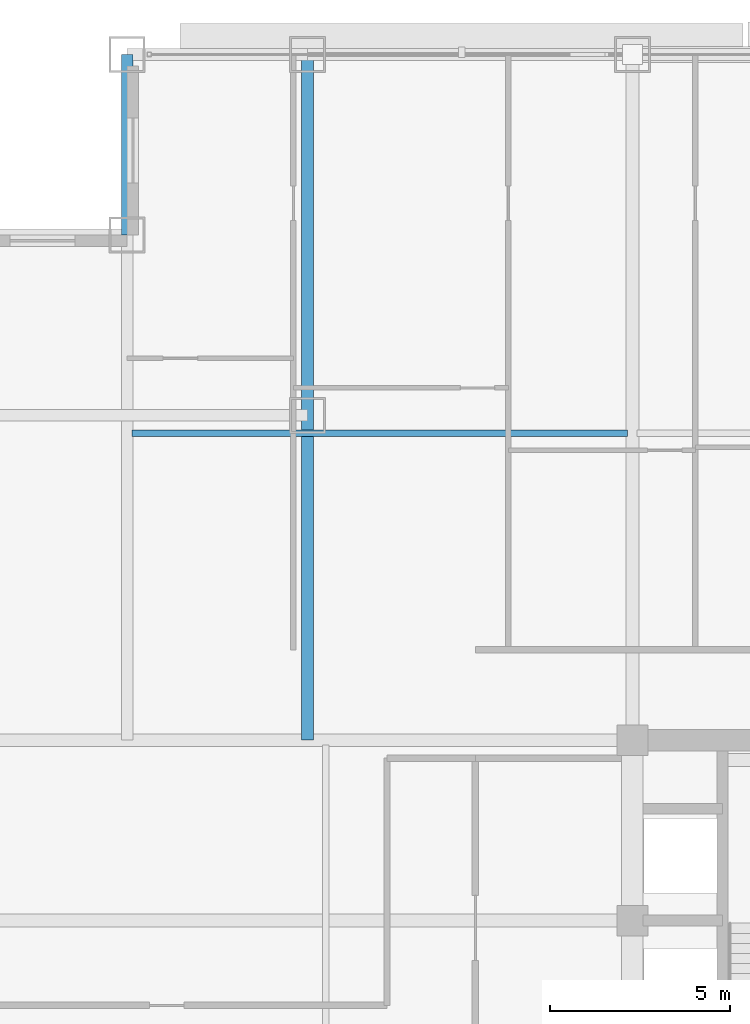
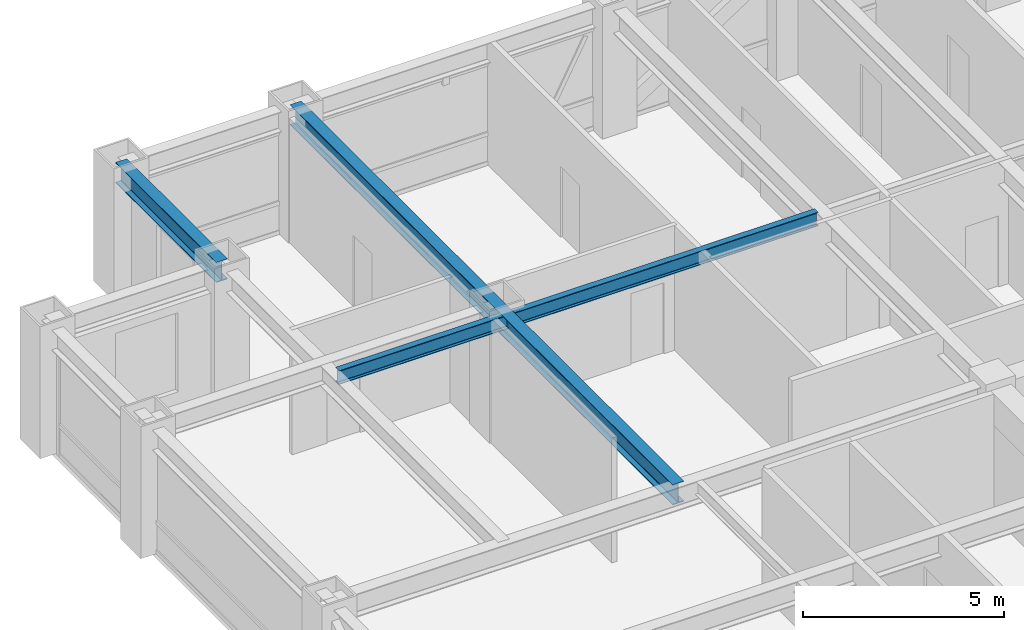
# One storey, part 13 of 29: 3 beams.
"""IFC4 building model written with IfcOpenShell, lengths in metres."""

from ifc_helpers import new_model, si_unit, direction, frame, origin, origin_2d, place, context, subcontext, project, spatial, i_section, extrude, source, transform, mapped, material, material_profile, profile_set, type_object, element, save


model = new_model("IFC4")

# Units and contexts
model_context = context("Model", 3, precision=1e-05, world=origin(), true_north=direction((0.0, 1.0)))
body_context = subcontext(model_context, "Body", "Model", "MODEL_VIEW")
ifc_project = project(units=[si_unit("LENGTHUNIT", "METRE"), si_unit("AREAUNIT", "SQUARE_METRE"), si_unit("VOLUMEUNIT", "CUBIC_METRE"), si_unit("PLANEANGLEUNIT", "RADIAN"), si_unit("MASSUNIT", "GRAM", prefix="KILO")], contexts=[model_context])

# Site, building, storey
site_placement = place(None, origin())
site = spatial("IfcSite", under=ifc_project, at=site_placement, CompositionType="ELEMENT")
building_placement = place(site_placement, origin())
building = spatial("IfcBuilding", under=site, at=building_placement, Name="Khorayat Bourse Tower", CompositionType="ELEMENT")
storey_placement = place(building_placement, frame((0.0, 0.0, 239.10009765625)))
storey = spatial("IfcBuildingStorey", under=building, at=storey_placement, Name="L56", CompositionType="ELEMENT", Elevation=239.10009765625)

# Beams
ifc_material = material(Name="Steel ASTM A992 Grade 50", Category="steel")
ifc_material_profile_1 = material_profile(ifc_material, i_section(OverallWidth=0.324951171875, OverallDepth=0.615966796875, WebThickness=0.013916015625, FlangeThickness=0.021484375, FilletRadius=0.01611328125, at=origin_2d()), Name="W610X174")
ifc_profile_set_1 = profile_set([ifc_material_profile_1], Name="Steel ASTM A992 Grade 50")
beam_type_1 = type_object("IfcBeamType", Name="BM-GIRD-610", PredefinedType="BEAM", material=ifc_profile_set_1)
shared_shape_1 = source(origin(), body_context, "Body", "SweptSolid", [
    extrude(i_section(OverallWidth=0.324951171875, OverallDepth=0.615966796875, WebThickness=0.013916015625, FlangeThickness=0.021484375, FilletRadius=0.01611328125, at=origin_2d()), origin(), (0.0, 0.0, 1.0), 19.0),
])
beam_1_placement = place(storey_placement, frame((-20.0, 11.0, 3.471923828125), z_axis=(0.0, 1.0, 0.0), x_axis=(-1.0, 0.0, 0.0)))
element("IfcBeam", 1, at=beam_1_placement, inside=storey, type_object=beam_type_1, Name="L56 BM-GIRD-610 BM-L56-CNRY-085", PredefinedType="BEAM", context=body_context, shape_type="MappedRepresentation", body=[
    mapped(shared_shape_1, transform((0.0, 0.0, 0.0), scale=1.0)),
])
ifc_material_profile_2 = material_profile(ifc_material, i_section(OverallWidth=0.324951171875, OverallDepth=0.615966796875, WebThickness=0.013916015625, FlangeThickness=0.021484375, FilletRadius=0.01611328125, at=origin_2d()), Name="W610X174")
ifc_profile_set_2 = profile_set([ifc_material_profile_2], Name="Steel ASTM A992 Grade 50")
beam_type_2 = type_object("IfcBeamType", Name="BM-SPAN-610", PredefinedType="SPANDREL", material=ifc_profile_set_2)
shared_shape_2 = source(origin(), body_context, "Body", "SweptSolid", [
    extrude(i_section(OverallWidth=0.324951171875, OverallDepth=0.615966796875, WebThickness=0.013916015625, FlangeThickness=0.021484375, FilletRadius=0.01611328125, at=origin_2d()), origin(), (0.0, 0.0, 1.0), 5.0),
])
beam_2_placement = place(storey_placement, frame((-25.0, 25.0, 3.471923828125), z_axis=(0.0, 1.0, 0.0), x_axis=(-1.0, 0.0, 0.0)))
element("IfcBeam", 2, at=beam_2_placement, inside=storey, type_object=beam_type_2, Name="L56 BM-SPAN-610 BM-L56-SPN-052", PredefinedType="SPANDREL", context=body_context, shape_type="MappedRepresentation", body=[
    mapped(shared_shape_2, transform((0.0, 0.0, 0.0), scale=1.0)),
])
ifc_material_profile_3 = material_profile(ifc_material, i_section(OverallWidth=0.180908203125, OverallDepth=0.4169921875, WebThickness=0.010986328125, FlangeThickness=0.018310546875, FilletRadius=0.011962890625, at=origin_2d()), Name="W410X85")
ifc_profile_set_3 = profile_set([ifc_material_profile_3], Name="Steel ASTM A992 Grade 50")
beam_type_3 = type_object("IfcBeamType", Name="BM-JOIST-410", PredefinedType="JOIST", material=ifc_profile_set_3)
shared_shape_3 = source(origin(), body_context, "Body", "SweptSolid", [
    extrude(i_section(OverallWidth=0.180908203125, OverallDepth=0.4169921875, WebThickness=0.010986328125, FlangeThickness=0.018310546875, FilletRadius=0.011962890625, at=origin_2d()), origin(), (0.0, 0.0, 1.0), 13.740234375),
])
beam_3_placement = place(storey_placement, frame((-24.8701171875, 19.5, 3.5712890625), z_axis=(1.0, 0.0, 0.0), x_axis=(0.0, 1.0, 0.0)))
element("IfcBeam", 3, at=beam_3_placement, inside=storey, type_object=beam_type_3, Name="L56 BM-JOIST-410 BM-L56-JSTX-099", PredefinedType="JOIST", context=body_context, shape_type="MappedRepresentation", body=[
    mapped(shared_shape_3, transform((0.0, 0.0, 0.0), scale=1.0)),
])

save(model, "model.ifc")
